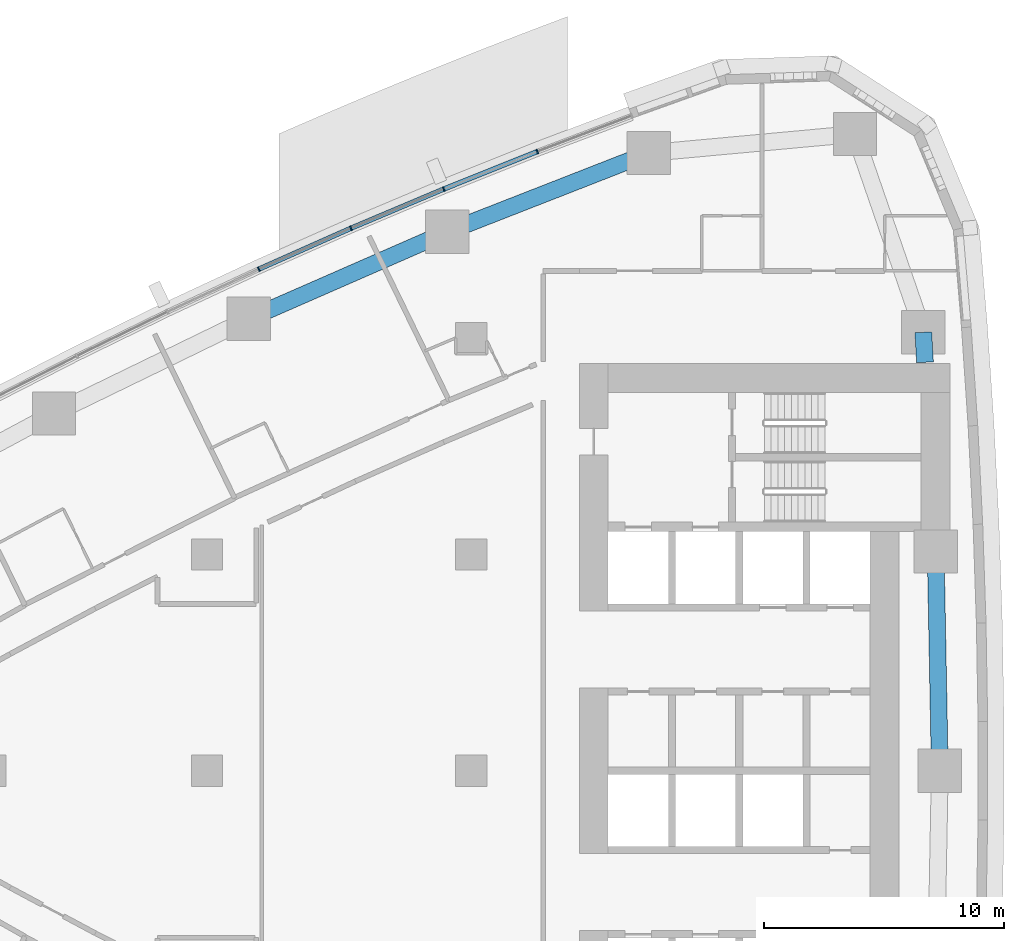
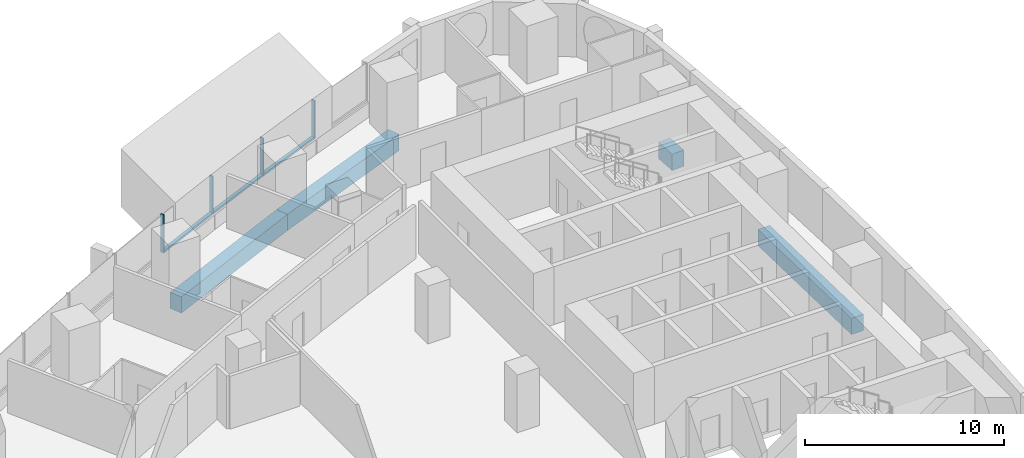
# One storey, part 6 of 19: 7 members, 4 beams, 2 elements without a shape of their own.
"""IFC4 building model written with IfcOpenShell, lengths in metres."""

from ifc_helpers import new_model, si_unit, direction, frame, origin, origin_2d, place, context, subcontext, project, spatial, rectangle, extrude, material, layer, layer_set, material_profile, profile_set, type_object, element, aggregate, save


model = new_model("IFC4")

# Units and contexts
model_context = context("Model", 3, precision=1e-05, world=origin(), true_north=direction((0.0, 1.0)))
body_context = subcontext(model_context, "Body", "Model", "MODEL_VIEW")
ifc_project = project(units=[si_unit("LENGTHUNIT", "METRE"), si_unit("AREAUNIT", "SQUARE_METRE"), si_unit("VOLUMEUNIT", "CUBIC_METRE"), si_unit("PLANEANGLEUNIT", "RADIAN"), si_unit("MASSUNIT", "GRAM", prefix="KILO")], contexts=[model_context])

# Site, building, storey
site_placement = place(None, origin())
site = spatial("IfcSite", under=ifc_project, at=site_placement, CompositionType="ELEMENT")
building_placement = place(site_placement, origin())
building = spatial("IfcBuilding", under=site, at=building_placement, Name="Ostrand Prow Hotel Tower", CompositionType="ELEMENT")
storey_placement = place(building_placement, frame((0.0, 0.0, 60.89990234375)))
storey = spatial("IfcBuildingStorey", under=building, at=storey_placement, Name="L13", CompositionType="ELEMENT", Elevation=60.89990234375)

# Beams
ifc_material_1 = material(Name="Concrete C80/95", Category="concrete")
ifc_material_profile_1 = material_profile(ifc_material_1, rectangle(XDim=0.699951171875, YDim=1.0, at=origin_2d()), Name="RC 700x1000")
ifc_profile_set_1 = profile_set([ifc_material_profile_1], Name="Concrete C80/95")
beam_type = type_object("IfcBeamType", Name="Edge beam 700x1000 C80/95", PredefinedType="SPANDREL", material=ifc_profile_set_1)
beam_1_placement = place(storey_placement, frame((64.5, 0.0, -0.7998046875), z_axis=(-0.018793471688, 0.999823387115, 0.0), x_axis=(-0.999823387115, -0.018793471688, 0.0)))
element("IfcBeam", 1, at=beam_1_placement, inside=storey, type_object=beam_type, Name="Edge beam B3-B4", PredefinedType="SPANDREL", context=body_context, shape_type="SweptSolid", body=[
    extrude(rectangle(XDim=0.699951171875, YDim=1.0, at=origin_2d()), origin(), (0.0, 0.0, 1.0), 9.132568359375),
])
beam_2_placement = place(storey_placement, frame((63.8837890625, 17.0, -0.7998046875), z_axis=(-0.056215946509, 0.998418633319, 0.0), x_axis=(-0.998418633319, -0.056215946509, 0.0)))
element("IfcBeam", 2, at=beam_2_placement, inside=storey, type_object=beam_type, Name="Edge beam B4-B5", PredefinedType="SPANDREL", context=body_context, shape_type="SweptSolid", body=[
    extrude(rectangle(XDim=0.699951171875, YDim=1.0, at=origin_2d()), origin(), (0.0, 0.0, 1.0), 1.250732421875),
])
for number, where, z_axis, x_axis, name in (
    (3, (52.3916015625, 25.710205078125, -0.7998046875), (-0.931329480916, -0.364177701098, 0.0), (0.364177701098, -0.931329480916, 0.0), "Edge beam N1-N2"),
    (4, (43.997802734375, 22.427978515625, -0.7998046875), (-0.916095776162, -0.400959510297, 0.0), (0.400959510297, -0.916095776162, 0.0), "Edge beam N2-N3"),
):
    element("IfcBeam", number, at=place(storey_placement, frame(where, z_axis=z_axis, x_axis=x_axis)), inside=storey, type_object=beam_type, Name=name, PredefinedType="SPANDREL", context=body_context, shape_type="SweptSolid", body=[
        extrude(rectangle(XDim=0.699951171875, YDim=1.0, at=origin_2d()), origin(), (0.0, 0.0, 1.0), 9.0126953125),
    ])

# Curtain wall, members
ifc_material_2 = material(Name="Insulated glass in bronze anodised frame", Category="glass")
ifc_layer = layer(ifc_material_2, 0.199951171875)
ifc_layer_set = layer_set([ifc_layer], Name="Insulated glass in bronze anodised frame")
curtain_wall_type = type_object("IfcCurtainWallType", Name="Strip curtain wall, fritted glass over bronze spandrel", PredefinedType="NOTDEFINED", material=ifc_layer_set)
curtain_wall_1_placement = place(storey_placement, origin())
curtain_wall_1 = element("IfcCurtainWall", 5, at=curtain_wall_1_placement, inside=storey, type_object=curtain_wall_type, Name="CW1 run CWN1", PredefinedType="NOTDEFINED")
ifc_material_3 = material(Name="Bronze anodised aluminium", Category="aluminium")
ifc_material_profile_2 = material_profile(ifc_material_3, rectangle(XDim=0.199951171875, YDim=0.06005859375, at=origin_2d()), Name="Mullion 60x200 bronze anodised aluminium")
ifc_profile_set_2 = profile_set([ifc_material_profile_2], Name="Bronze anodised aluminium")
member_type_1 = type_object("IfcMemberType", Name="Mullion 60x200 bronze anodised aluminium", PredefinedType="MULLION", material=ifc_profile_set_2)
member_1_placement = place(storey_placement, frame((47.7529296875, 25.769775390625, 0.900146484375), z_axis=(0.0, 0.0, 1.0), x_axis=(0.371873380669, -0.928283463577, 0.0)))
member_1 = element("IfcMember", 6, at=member_1_placement, type_object=member_type_1, Name="CW1 mullion 2", PredefinedType="MULLION", context=body_context, shape_type="SweptSolid", body=[
    extrude(rectangle(XDim=0.199951171875, YDim=0.06005859375, at=origin_2d()), origin(), (0.0, 0.0, 1.0), 2.349853515625),
])
member_2_placement = place(storey_placement, frame((43.859619140625, 24.210205078125, 0.900146484375), z_axis=(0.0, 0.0, 1.0), x_axis=(0.371873380669, -0.928283463577, 0.0)))
member_2 = element("IfcMember", 7, at=member_2_placement, type_object=member_type_1, Name="CW1 mullion 3", PredefinedType="MULLION", context=body_context, shape_type="SweptSolid", body=[
    extrude(rectangle(XDim=0.199951171875, YDim=0.06005859375, at=origin_2d()), origin(), (0.0, 0.0, 1.0), 2.349853515625),
])

curtain_wall_2_placement = place(storey_placement, origin())
curtain_wall_2 = element("IfcCurtainWall", 8, at=curtain_wall_2_placement, inside=storey, type_object=curtain_wall_type, Name="CW1 run CWN2", PredefinedType="NOTDEFINED")
member_3_placement = place(storey_placement, frame((39.99560546875, 22.5791015625, 0.900146484375), z_axis=(0.0, 0.0, 1.0), x_axis=(0.405779757666, -0.913970890274, 0.0)))
member_3 = element("IfcMember", 9, at=member_3_placement, type_object=member_type_1, Name="CW1 mullion 2", PredefinedType="MULLION", context=body_context, shape_type="SweptSolid", body=[
    extrude(rectangle(XDim=0.199951171875, YDim=0.06005859375, at=origin_2d()), origin(), (0.0, 0.0, 1.0), 2.349853515625),
])
member_4_placement = place(storey_placement, frame((36.162109375, 20.876953125, 0.900146484375), z_axis=(0.0, 0.0, 1.0), x_axis=(0.405779757666, -0.913970890274, 0.0)))
member_4 = element("IfcMember", 10, at=member_4_placement, type_object=member_type_1, Name="CW1 mullion 3", PredefinedType="MULLION", context=body_context, shape_type="SweptSolid", body=[
    extrude(rectangle(XDim=0.199951171875, YDim=0.06005859375, at=origin_2d()), origin(), (0.0, 0.0, 1.0), 2.349853515625),
])

# Member
ifc_material_4 = material(Name="Bronze anodised aluminium", Category="aluminium")
ifc_material_profile_3 = material_profile(ifc_material_4, rectangle(XDim=0.199951171875, YDim=0.1201171875, at=origin_2d()), Name="Transom 120x200 bronze anodised aluminium")
ifc_profile_set_3 = profile_set([ifc_material_profile_3], Name="Bronze anodised aluminium")
member_type_2 = type_object("IfcMemberType", Name="Transom 120x200 bronze anodised aluminium", PredefinedType="USERDEFINED", material=ifc_profile_set_3)
member_5_placement = place(storey_placement, frame((47.72509765625, 25.7587890625, 0.960205078125), z_axis=(-0.928264761225, -0.371920062739, 0.0), x_axis=(0.371920062739, -0.928264761225, 0.0)))
member_5 = element("IfcMember", 11, at=member_5_placement, type_object=member_type_2, Name="CW1 transom 2.1", ObjectType="TRANSOM", PredefinedType="USERDEFINED", context=body_context, shape_type="SweptSolid", body=[
    extrude(rectangle(XDim=0.199951171875, YDim=0.1201171875, at=origin_2d()), origin(), (0.0, 0.0, 1.0), 4.13427734375),
])

aggregate(curtain_wall_1, [member_1, member_2, member_5])

member_6_placement = place(storey_placement, frame((43.831787109375, 24.198486328125, 0.960205078125), z_axis=(-0.921284828297, -0.388888499637, 0.0), x_axis=(0.388888499637, -0.921284828297, 0.0)))
member_6 = element("IfcMember", 12, at=member_6_placement, type_object=member_type_2, Name="CW1 transom 1.1", ObjectType="TRANSOM", PredefinedType="USERDEFINED", context=body_context, shape_type="SweptSolid", body=[
    extrude(rectangle(XDim=0.199951171875, YDim=0.1201171875, at=origin_2d()), origin(), (0.0, 0.0, 1.0), 4.134033203125),
])

member_7_placement = place(storey_placement, frame((39.968017578125, 22.56689453125, 0.960205078125), z_axis=(-0.913957599094, -0.405809693156, 0.0), x_axis=(0.405809693156, -0.913957599094, 0.0)))
member_7 = element("IfcMember", 13, at=member_7_placement, type_object=member_type_2, Name="CW1 transom 2.1", ObjectType="TRANSOM", PredefinedType="USERDEFINED", context=body_context, shape_type="SweptSolid", body=[
    extrude(rectangle(XDim=0.199951171875, YDim=0.1201171875, at=origin_2d()), origin(), (0.0, 0.0, 1.0), 4.13427734375),
])

aggregate(curtain_wall_2, [member_3, member_4, member_6, member_7])

save(model, "model.ifc")
